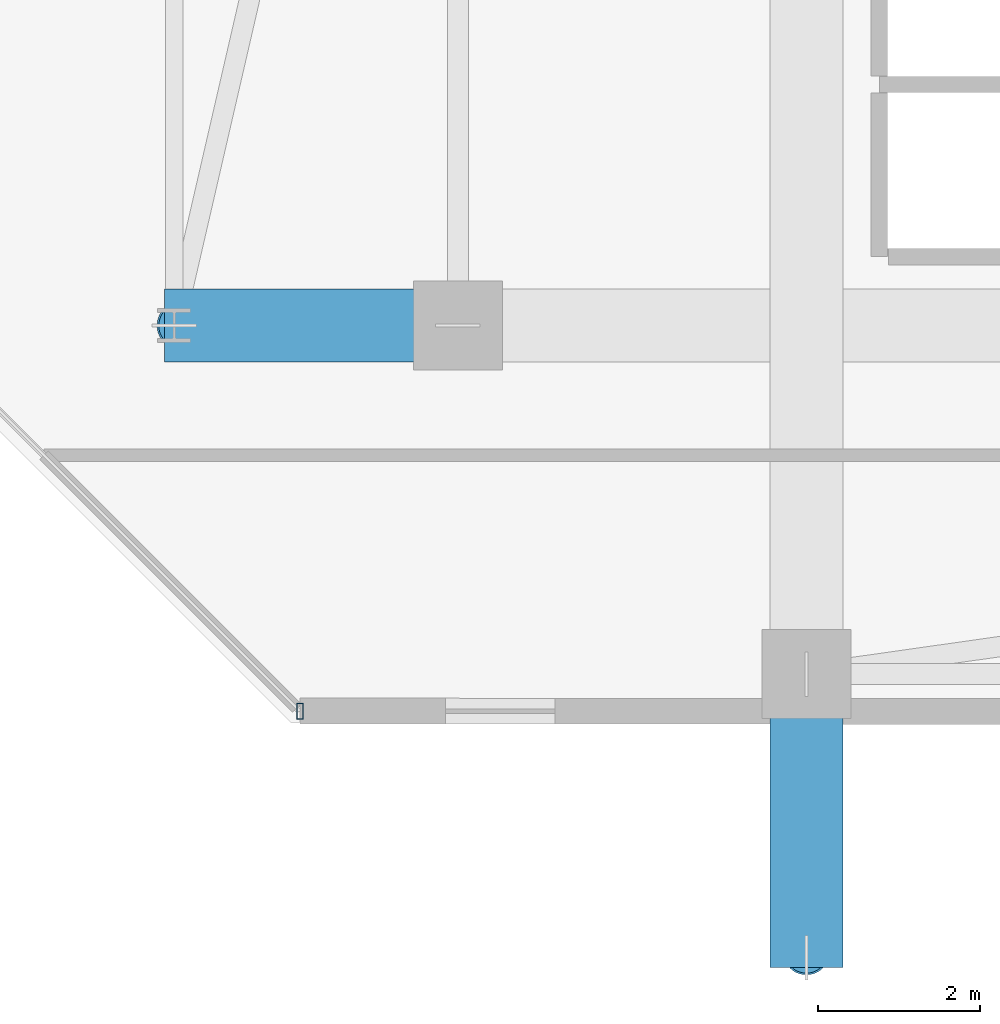
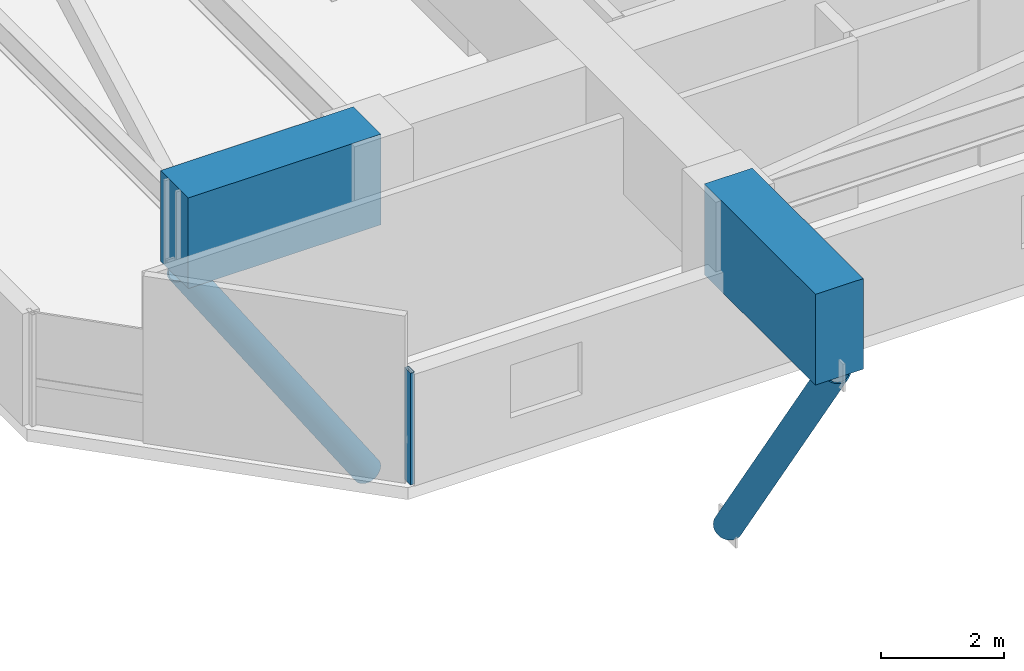
# One storey, part 12 of 36: 3 members, 2 beams, 1 element without a shape of its own.
"""IFC4 building model written with IfcOpenShell, lengths in metres."""

from ifc_helpers import new_model, si_unit, direction, frame, origin, origin_2d, place, context, subcontext, project, spatial, rectangle, hollow_rectangle, hollow_circle, extrude, material, material_profile, profile_set, type_object, element, aggregate, save


model = new_model("IFC4")

# Units and contexts
model_context = context("Model", 3, precision=1e-05, world=origin(), true_north=direction((0.0, 1.0)))
body_context = subcontext(model_context, "Body", "Model", "MODEL_VIEW")
ifc_project = project(units=[si_unit("LENGTHUNIT", "METRE"), si_unit("AREAUNIT", "SQUARE_METRE"), si_unit("VOLUMEUNIT", "CUBIC_METRE"), si_unit("PLANEANGLEUNIT", "RADIAN"), si_unit("MASSUNIT", "GRAM", prefix="KILO")], contexts=[model_context])

# Site, building, storey
site_placement = place(None, origin())
site = spatial("IfcSite", under=ifc_project, at=site_placement, CompositionType="ELEMENT")
building_placement = place(site_placement, origin())
building = spatial("IfcBuilding", under=site, at=building_placement, Name="Thornwick Lancets Civic Towers", CompositionType="ELEMENT")
storey_placement = place(building_placement, frame((0.0, 0.0, 196.5)))
storey = spatial("IfcBuildingStorey", under=building, at=storey_placement, Name="L52", CompositionType="ELEMENT", Elevation=196.5)

# Beams
ifc_material_1 = material(Name="Concrete C60/75", Category="concrete")
ifc_material_profile_1 = material_profile(ifc_material_1, rectangle(XDim=0.89990234375, YDim=1.800048828125, at=origin_2d()), Name="RC 900x1800")
ifc_profile_set_1 = profile_set([ifc_material_profile_1], Name="Concrete C60/75")
beam_type = type_object("IfcBeamType", Name="BM_TR_RC1800", PredefinedType="BEAM", material=ifc_profile_set_1)
for number, where, z_axis, x_axis, name in (
    (1, (71.199951171875, 14.0, 2.699951171875), (-1.0, 0.0, 0.0), (0.0, -1.0, 0.0), "TG-CANT-L53-B07"),
    (2, (75.5, 9.699951171875, 2.699951171875), (0.0, -1.0, 0.0), (1.0, 0.0, 0.0), "TG-CANT-L53-B12"),
):
    element("IfcBeam", number, at=place(storey_placement, frame(where, z_axis=z_axis, x_axis=x_axis)), inside=storey, type_object=beam_type, Name=name, PredefinedType="BEAM", context=body_context, shape_type="SweptSolid", body=[
        extrude(rectangle(XDim=0.89990234375, YDim=1.800048828125, at=origin_2d()), origin(), (0.0, 0.0, 1.0), 3.619873046875),
    ])

# Curtain wall, member
ifc_material_2 = material(Name="Mid-zone chamfered-corner unitised glass curtain wall", Category="glass")
curtain_wall_type = type_object("IfcCurtainWallType", Name="CW_SYS_04", PredefinedType="NOTDEFINED", material=ifc_material_2)
curtain_wall_placement = place(storey_placement, origin())
curtain_wall = element("IfcCurtainWall", 3, at=curtain_wall_placement, inside=storey, type_object=curtain_wall_type, Name="L52 Curtain Wall CW-L52-B-E7", PredefinedType="NOTDEFINED")
ifc_material_3 = material(Name="Thermally broken bronze aluminium S355", Category="steel")
ifc_material_profile_2 = material_profile(ifc_material_3, hollow_rectangle(XDim=0.080078125, YDim=0.199951171875, WallThickness=0.006103515625, at=origin_2d()), Name="RHS 200x80x6")
ifc_profile_set_2 = profile_set([ifc_material_profile_2], Name="Thermally broken bronze aluminium S355")
member_type_1 = type_object("IfcMemberType", Name="CW_MUL_200", PredefinedType="MULLION", material=ifc_profile_set_2)
member_placement = place(storey_placement, frame((69.2490234375, 9.24169921875, 0.0), z_axis=(0.0, 0.0, 1.0), x_axis=(1.0, 0.0, 0.0)))
member = element("IfcMember", 4, at=member_placement, type_object=member_type_1, Name="CW-L52-B-E7 Mullion 1", PredefinedType="MULLION", context=body_context, shape_type="SweptSolid", body=[
    extrude(hollow_rectangle(XDim=0.080078125, YDim=0.199951171875, WallThickness=0.006103515625, at=origin_2d()), origin(), (0.0, 0.0, 1.0), 2.219970703125),
])
aggregate(curtain_wall, [member])

# Members
ifc_material_4 = material(Name="Steel S460M", Category="steel")
ifc_material_profile_3 = material_profile(ifc_material_4, hollow_circle(Radius=0.25390625, WallThickness=0.02490234375, at=origin_2d()), Name="CHS 508x25")
ifc_profile_set_3 = profile_set([ifc_material_profile_3], Name="Steel S460M")
member_type_2 = type_object("IfcMemberType", Name="MEM_STRUT_CHS508", PredefinedType="STRUT", material=ifc_profile_set_3)
for number, where, z_axis, x_axis, name in (
    (5, (71.199951171875, 14.0, -3.35009765625), (-0.556167580628, 0.0, 0.831070166868), (0.0, -1.0, 0.0), "L53 Jenga Transfer Raking Strut B07"),
    (6, (75.5, 9.699951171875, -3.35009765625), (0.0, -0.556167580628, 0.831070166868), (1.0, 0.0, 0.0), "L53 Jenga Transfer Raking Strut B12"),
):
    element("IfcMember", number, at=place(storey_placement, frame(where, z_axis=z_axis, x_axis=x_axis)), inside=storey, type_object=member_type_2, Name=name, PredefinedType="STRUT", context=body_context, shape_type="SweptSolid", body=[
        extrude(hollow_circle(Radius=0.25390625, WallThickness=0.02490234375, at=origin_2d()), origin(), (0.0, 0.0, 1.0), 6.29296875),
    ])

save(model, "model.ifc")
